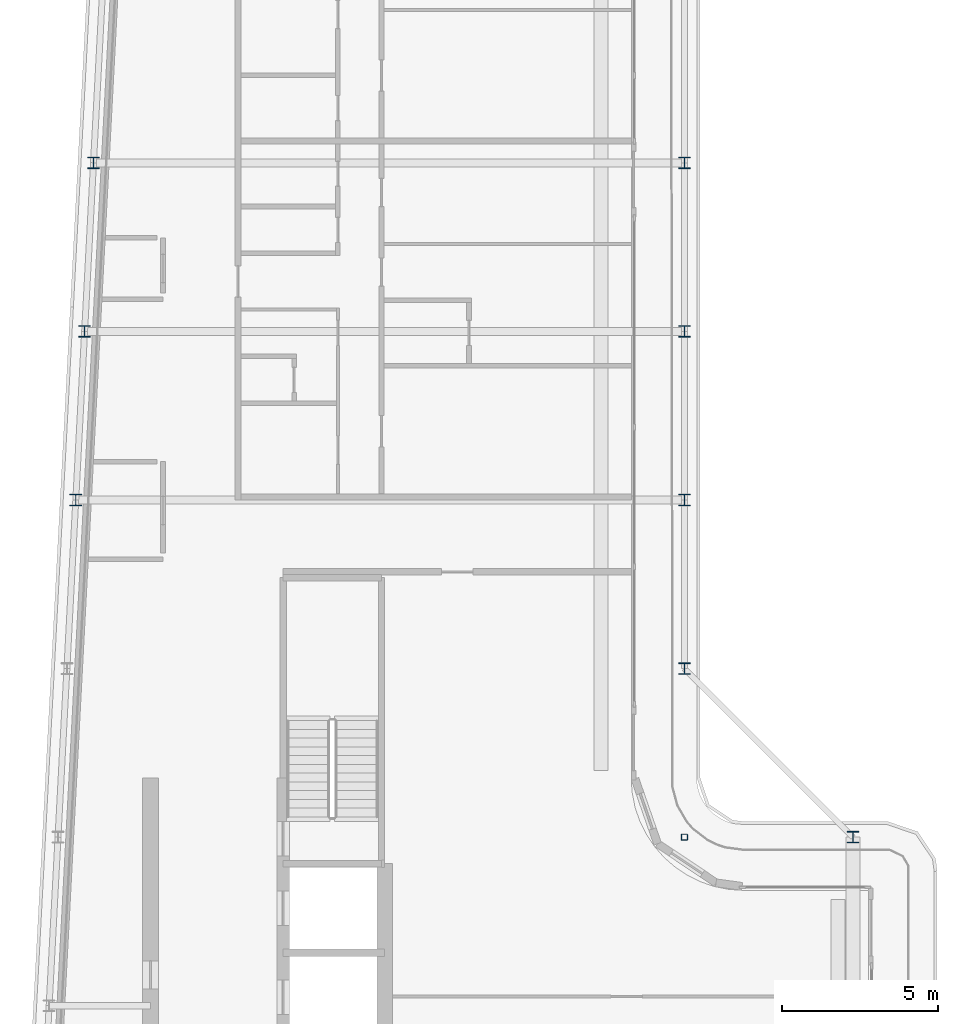
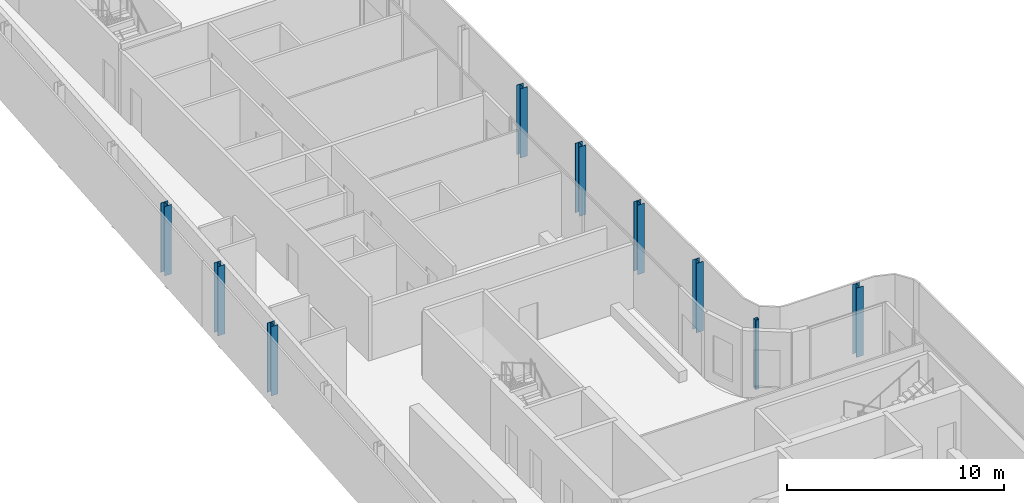
# One storey, part 2 of 19: 9 columns.
"""IFC4 building model written with IfcOpenShell, lengths in metres."""

from ifc_helpers import new_model, si_unit, direction, frame, origin, origin_2d, place, context, subcontext, project, spatial, hollow_rectangle, i_section, extrude, material, material_profile, profile_set, type_object, element, save


model = new_model("IFC4")

# Units and contexts
model_context = context("Model", 3, precision=1e-05, world=origin(), true_north=direction((0.0, 1.0)))
body_context = subcontext(model_context, "Body", "Model", "MODEL_VIEW")
ifc_project = project(units=[si_unit("LENGTHUNIT", "METRE"), si_unit("AREAUNIT", "SQUARE_METRE"), si_unit("VOLUMEUNIT", "CUBIC_METRE"), si_unit("PLANEANGLEUNIT", "RADIAN"), si_unit("MASSUNIT", "GRAM", prefix="KILO")], contexts=[model_context])

# Site, building, storey
site_placement = place(None, origin())
site = spatial("IfcSite", under=ifc_project, at=site_placement, CompositionType="ELEMENT")
building_placement = place(site_placement, origin())
building = spatial("IfcBuilding", under=site, at=building_placement, Name="Kheshtan School and Residences Tower", CompositionType="ELEMENT")
storey_placement = place(building_placement, frame((0.0, 0.0, 350.0)))
storey = spatial("IfcBuildingStorey", under=building, at=storey_placement, Name="L82", CompositionType="ELEMENT", Elevation=350.0)

# Columns
ifc_material_1 = material(Name="Steel ASTM A992 Grade 50", Category="steel")
ifc_material_profile_1 = material_profile(ifc_material_1, i_section(OverallWidth=0.37109375, OverallDepth=0.364013671875, WebThickness=0.01318359375, FlangeThickness=0.021728515625, FilletRadius=0.010986328125, at=origin_2d()), Name="W360x162")
ifc_profile_set_1 = profile_set([ifc_material_profile_1], Name="Steel ASTM A992 Grade 50")
column_type_1 = type_object("IfcColumnType", Name="Column C6 W360x162 ASTM A992 Grade 50", PredefinedType="COLUMN", material=ifc_profile_set_1)
for number, where, z_axis, x_axis, name in (
    (1, (53.0, 45.60009765625, 0.0), (0.0, 0.0, 1.0), (1.0, 0.0, 0.0), "Column C061"),
    (2, (47.60009765625, 51.0, 0.0), (0.0, 0.0, 1.0), (1.0, 0.0, 0.0), "Column C079"),
    (3, (28.10595703125, 56.39990234375, 0.0), (0.0, 0.0, 1.0), (1.0, 0.0, 0.0), "Column C080"),
    (4, (47.60009765625, 56.39990234375, 0.0), (0.0, 0.0, 1.0), (1.0, 0.0, 0.0), "Column C081"),
    (5, (28.389892578125, 61.800048828125, 0.0), (0.0, 0.0, 1.0), (1.0, 0.0, 0.0), "Column C082"),
    (6, (47.60009765625, 61.800048828125, 0.0), (0.0, 0.0, 1.0), (1.0, 0.0, 0.0), "Column C083"),
    (7, (28.674072265625, 67.199951171875, 0.0), (0.0, 0.0, 1.0), (1.0, 0.0, 0.0), "Column C084"),
    (8, (47.60009765625, 67.199951171875, 0.0), (0.0, 0.0, 1.0), (1.0, 0.0, 0.0), "Column C085"),
):
    element("IfcColumn", number, at=place(storey_placement, frame(where, z_axis=z_axis, x_axis=x_axis)), inside=storey, type_object=column_type_1, Name=name, PredefinedType="COLUMN", context=body_context, shape_type="SweptSolid", body=[
        extrude(i_section(OverallWidth=0.37109375, OverallDepth=0.364013671875, WebThickness=0.01318359375, FlangeThickness=0.021728515625, FilletRadius=0.010986328125, at=origin_2d()), origin(), (0.0, 0.0, 1.0), 3.89990234375),
    ])
ifc_material_2 = material(Name="Steel ASTM A500 Grade C", Category="steel")
ifc_material_profile_2 = material_profile(ifc_material_2, hollow_rectangle(XDim=0.202880859375, YDim=0.202880859375, WallThickness=0.0126953125, InnerFilletRadius=0.0126953125, OuterFilletRadius=0.025390625, at=origin_2d()), Name="HSS 203x203x12.7")
ifc_profile_set_2 = profile_set([ifc_material_profile_2], Name="Steel ASTM A500 Grade C")
column_type_2 = type_object("IfcColumnType", Name="Column IC4 HSS 203x203x12.7 ASTM A500 Grade C", PredefinedType="COLUMN", material=ifc_profile_set_2)
column_placement = place(storey_placement, frame((47.60009765625, 45.60009765625, 0.0), z_axis=(0.0, 0.0, 1.0), x_axis=(1.0, 0.0, 0.0)))
element("IfcColumn", 9, at=column_placement, inside=storey, type_object=column_type_2, Name="Column C060", PredefinedType="COLUMN", context=body_context, shape_type="SweptSolid", body=[
    extrude(hollow_rectangle(XDim=0.202880859375, YDim=0.202880859375, WallThickness=0.0126953125, InnerFilletRadius=0.0126953125, OuterFilletRadius=0.025390625, at=origin_2d()), origin(), (0.0, 0.0, 1.0), 3.89990234375),
])

save(model, "model.ifc")
